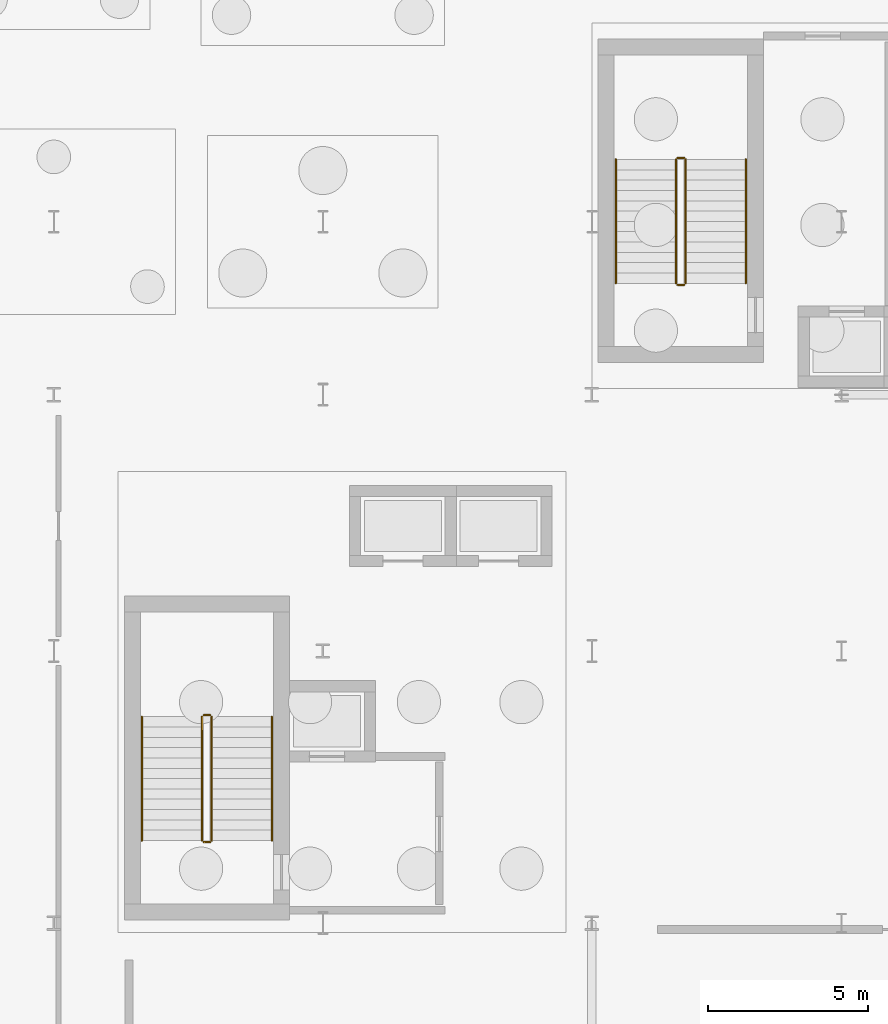
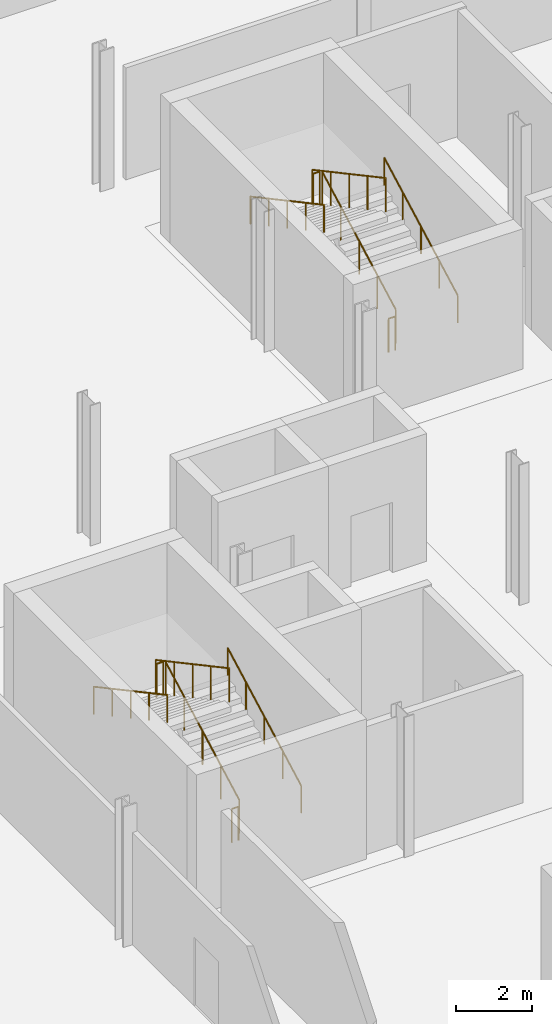
# One storey, part 38 of 45: 12 railings.
"""IFC4 building model written with IfcOpenShell, lengths in metres."""

from ifc_helpers import new_model, si_unit, direction, frame, origin, origin_2d, place, context, subcontext, project, spatial, circle, extrude, material, type_object, element, save


model = new_model("IFC4")

# Units and contexts
model_context = context("Model", 3, precision=1e-05, world=origin(), true_north=direction((0.0, 1.0)))
body_context = subcontext(model_context, "Body", "Model", "MODEL_VIEW")
ifc_project = project(units=[si_unit("LENGTHUNIT", "METRE"), si_unit("AREAUNIT", "SQUARE_METRE"), si_unit("VOLUMEUNIT", "CUBIC_METRE"), si_unit("PLANEANGLEUNIT", "RADIAN"), si_unit("MASSUNIT", "GRAM", prefix="KILO")], contexts=[model_context])

# Site, building, storey
site_placement = place(None, origin())
site = spatial("IfcSite", under=ifc_project, at=site_placement, CompositionType="ELEMENT")
building_placement = place(site_placement, origin())
building = spatial("IfcBuilding", under=site, at=building_placement, Name="Sefraquen Railside Congress Hotel", CompositionType="ELEMENT")
storey_placement = place(building_placement, frame((0.0, 0.0, -4.5)))
storey = spatial("IfcBuildingStorey", under=building, at=storey_placement, Name="B01", CompositionType="ELEMENT", Elevation=-4.5)

# Railings
ifc_material = material(Name="Patinated wrought architectural bronze", Category="metal")
railing_type_1 = type_object("IfcRailingType", Name="TRL-BAL-110", PredefinedType="BALUSTRADE", material=ifc_material)
railing_1_placement = place(storey_placement, frame((13.330078125, 82.080078125, 0.173095703125)))
element("IfcRailing", 1, at=railing_1_placement, inside=storey, type_object=railing_type_1, Name="B01 ST-H01 stair guard 1", PredefinedType="BALUSTRADE", context=body_context, shape_type="SweptSolid", body=[
    extrude(circle(Radius=0.02392578125, at=origin_2d()), frame((0.0, 0.0, 1.076171875), z_axis=(0.0, 0.880824687122, 0.473442573662), x_axis=(-1.0, 0.0, 0.0)), (0.0, 0.0, 1.0), 4.38671875),
    extrude(circle(Radius=0.02099609375, at=origin_2d()), origin(), (0.0, 0.0, 1.0), 1.052001953125),
    extrude(circle(Radius=0.02099609375, at=origin_2d()), frame((0.0, 0.966064453125, 0.519287109375)), (0.0, 0.0, 1.0), 1.052001953125),
    extrude(circle(Radius=0.02099609375, at=origin_2d()), frame((0.0, 1.93212890625, 1.03857421875)), (0.0, 0.0, 1.0), 1.052001953125),
    extrude(circle(Radius=0.02099609375, at=origin_2d()), frame((0.0, 2.89794921875, 1.5576171875)), (0.0, 0.0, 1.0), 1.052001953125),
    extrude(circle(Radius=0.02099609375, at=origin_2d()), frame((0.0, 3.864013671875, 2.076904296875)), (0.0, 0.0, 1.0), 1.052001953125),
])
railing_2_placement = place(storey_placement, frame((13.280029296875, 85.993896484375, 2.25)))
element("IfcRailing", 2, at=railing_2_placement, inside=storey, type_object=railing_type_1, Name="B01 ST-H01 stair guard 2", PredefinedType="BALUSTRADE", context=body_context, shape_type="SweptSolid", body=[
    extrude(circle(Radius=0.02392578125, at=origin_2d()), frame((0.0, 0.0, 1.076171875), z_axis=(-1.0, 0.0, 0.0), x_axis=(0.0, -1.0, 0.0)), (0.0, 0.0, 1.0), 0.199951171875),
    extrude(circle(Radius=0.02099609375, at=origin_2d()), origin(), (0.0, 0.0, 1.0), 1.052001953125),
    extrude(circle(Radius=0.02099609375, at=origin_2d()), frame((-0.199951171875, 0.0, 0.0)), (0.0, 0.0, 1.0), 1.052001953125),
])
railing_3_placement = place(storey_placement, frame((13.030029296875, 85.944091796875, 2.423095703125)))
element("IfcRailing", 3, at=railing_3_placement, inside=storey, type_object=railing_type_1, Name="B01 ST-H01 stair guard 3", PredefinedType="BALUSTRADE", context=body_context, shape_type="SweptSolid", body=[
    extrude(circle(Radius=0.02392578125, at=origin_2d()), frame((0.0, 0.0, 1.076171875), z_axis=(0.0, -0.880824687122, 0.473442573662), x_axis=(1.0, 0.0, 0.0)), (0.0, 0.0, 1.0), 4.38671875),
    extrude(circle(Radius=0.02099609375, at=origin_2d()), origin(), (0.0, 0.0, 1.0), 1.052001953125),
    extrude(circle(Radius=0.02099609375, at=origin_2d()), frame((0.0, -0.966064453125, 0.519287109375)), (0.0, 0.0, 1.0), 1.052001953125),
    extrude(circle(Radius=0.02099609375, at=origin_2d()), frame((0.0, -1.93212890625, 1.03857421875)), (0.0, 0.0, 1.0), 1.052001953125),
    extrude(circle(Radius=0.02099609375, at=origin_2d()), frame((0.0, -2.89794921875, 1.5576171875)), (0.0, 0.0, 1.0), 1.052001953125),
    extrude(circle(Radius=0.02099609375, at=origin_2d()), frame((0.0, -3.864013671875, 2.076904296875)), (0.0, 0.0, 1.0), 1.052001953125),
])
railing_4_placement = place(storey_placement, frame((13.280029296875, 82.030029296875, 0.0)))
element("IfcRailing", 4, at=railing_4_placement, inside=storey, type_object=railing_type_1, Name="B01 ST-H01 stair guard 4", PredefinedType="BALUSTRADE", context=body_context, shape_type="SweptSolid", body=[
    extrude(circle(Radius=0.02392578125, at=origin_2d()), frame((0.0, 0.0, 1.076171875), z_axis=(-1.0, 0.0, 0.0), x_axis=(0.0, -1.0, 0.0)), (0.0, 0.0, 1.0), 0.199951171875),
    extrude(circle(Radius=0.02099609375, at=origin_2d()), origin(), (0.0, 0.0, 1.0), 1.052001953125),
    extrude(circle(Radius=0.02099609375, at=origin_2d()), frame((-0.199951171875, 0.0, 0.0)), (0.0, 0.0, 1.0), 1.052001953125),
])
railing_5_placement = place(storey_placement, frame((28.1298828125, 99.47998046875, 0.173095703125)))
element("IfcRailing", 5, at=railing_5_placement, inside=storey, type_object=railing_type_1, Name="B01 ST-H02 stair guard 1", PredefinedType="BALUSTRADE", context=body_context, shape_type="SweptSolid", body=[
    extrude(circle(Radius=0.02392578125, at=origin_2d()), frame((0.0, 0.0, 1.076171875), z_axis=(0.0, 0.880824687122, 0.473442573662), x_axis=(-1.0, 0.0, 0.0)), (0.0, 0.0, 1.0), 4.38671875),
    extrude(circle(Radius=0.02099609375, at=origin_2d()), origin(), (0.0, 0.0, 1.0), 1.052001953125),
    extrude(circle(Radius=0.02099609375, at=origin_2d()), frame((0.0, 0.966064453125, 0.519287109375)), (0.0, 0.0, 1.0), 1.052001953125),
    extrude(circle(Radius=0.02099609375, at=origin_2d()), frame((0.0, 1.93212890625, 1.03857421875)), (0.0, 0.0, 1.0), 1.052001953125),
    extrude(circle(Radius=0.02099609375, at=origin_2d()), frame((0.0, 2.89794921875, 1.5576171875)), (0.0, 0.0, 1.0), 1.052001953125),
    extrude(circle(Radius=0.02099609375, at=origin_2d()), frame((0.0, 3.864013671875, 2.076904296875)), (0.0, 0.0, 1.0), 1.052001953125),
])
railing_6_placement = place(storey_placement, frame((28.080078125, 103.39404296875, 2.25)))
element("IfcRailing", 6, at=railing_6_placement, inside=storey, type_object=railing_type_1, Name="B01 ST-H02 stair guard 2", PredefinedType="BALUSTRADE", context=body_context, shape_type="SweptSolid", body=[
    extrude(circle(Radius=0.02392578125, at=origin_2d()), frame((0.0, 0.0, 1.076171875), z_axis=(-1.0, 0.0, 0.0), x_axis=(0.0, -1.0, 0.0)), (0.0, 0.0, 1.0), 0.2001953125),
    extrude(circle(Radius=0.02099609375, at=origin_2d()), origin(), (0.0, 0.0, 1.0), 1.052001953125),
    extrude(circle(Radius=0.02099609375, at=origin_2d()), frame((-0.2001953125, 0.0, 0.0)), (0.0, 0.0, 1.0), 1.052001953125),
])
railing_7_placement = place(storey_placement, frame((27.830078125, 103.343994140625, 2.423095703125)))
element("IfcRailing", 7, at=railing_7_placement, inside=storey, type_object=railing_type_1, Name="B01 ST-H02 stair guard 3", PredefinedType="BALUSTRADE", context=body_context, shape_type="SweptSolid", body=[
    extrude(circle(Radius=0.02392578125, at=origin_2d()), frame((0.0, 0.0, 1.076171875), z_axis=(0.0, -0.880824687122, 0.473442573662), x_axis=(1.0, 0.0, 0.0)), (0.0, 0.0, 1.0), 4.38671875),
    extrude(circle(Radius=0.02099609375, at=origin_2d()), origin(), (0.0, 0.0, 1.0), 1.052001953125),
    extrude(circle(Radius=0.02099609375, at=origin_2d()), frame((0.0, -0.966064453125, 0.519287109375)), (0.0, 0.0, 1.0), 1.052001953125),
    extrude(circle(Radius=0.02099609375, at=origin_2d()), frame((0.0, -1.93212890625, 1.03857421875)), (0.0, 0.0, 1.0), 1.052001953125),
    extrude(circle(Radius=0.02099609375, at=origin_2d()), frame((0.0, -2.89794921875, 1.5576171875)), (0.0, 0.0, 1.0), 1.052001953125),
    extrude(circle(Radius=0.02099609375, at=origin_2d()), frame((0.0, -3.864013671875, 2.076904296875)), (0.0, 0.0, 1.0), 1.052001953125),
])
railing_8_placement = place(storey_placement, frame((28.080078125, 99.429931640625, 0.0)))
element("IfcRailing", 8, at=railing_8_placement, inside=storey, type_object=railing_type_1, Name="B01 ST-H02 stair guard 4", PredefinedType="BALUSTRADE", context=body_context, shape_type="SweptSolid", body=[
    extrude(circle(Radius=0.02392578125, at=origin_2d()), frame((0.0, 0.0, 1.076171875), z_axis=(-1.0, 0.0, 0.0), x_axis=(0.0, -1.0, 0.0)), (0.0, 0.0, 1.0), 0.2001953125),
    extrude(circle(Radius=0.02099609375, at=origin_2d()), origin(), (0.0, 0.0, 1.0), 1.052001953125),
    extrude(circle(Radius=0.02099609375, at=origin_2d()), frame((-0.2001953125, 0.0, 0.0)), (0.0, 0.0, 1.0), 1.052001953125),
])
railing_type_2 = type_object("IfcRailingType", Name="TRL-HR-090", PredefinedType="HANDRAIL", material=ifc_material)
railing_9_placement = place(storey_placement, frame((15.2099609375, 82.080078125, 0.173095703125)))
element("IfcRailing", 9, at=railing_9_placement, inside=storey, type_object=railing_type_2, Name="B01 ST-H01 stair handrail 1", PredefinedType="HANDRAIL", context=body_context, shape_type="SweptSolid", body=[
    extrude(circle(Radius=0.02392578125, at=origin_2d()), frame((0.0, 0.0, 0.8759765625), z_axis=(0.0, 0.880824687122, 0.473442573662), x_axis=(-1.0, 0.0, 0.0)), (0.0, 0.0, 1.0), 4.38671875),
    extrude(circle(Radius=0.02099609375, at=origin_2d()), origin(), (0.0, 0.0, 1.0), 0.851806640625),
    extrude(circle(Radius=0.02099609375, at=origin_2d()), frame((0.0, 0.966064453125, 0.519287109375)), (0.0, 0.0, 1.0), 0.851806640625),
    extrude(circle(Radius=0.02099609375, at=origin_2d()), frame((0.0, 1.93212890625, 1.03857421875)), (0.0, 0.0, 1.0), 0.851806640625),
    extrude(circle(Radius=0.02099609375, at=origin_2d()), frame((0.0, 2.89794921875, 1.5576171875)), (0.0, 0.0, 1.0), 0.851806640625),
    extrude(circle(Radius=0.02099609375, at=origin_2d()), frame((0.0, 3.864013671875, 2.076904296875)), (0.0, 0.0, 1.0), 0.851806640625),
])
railing_10_placement = place(storey_placement, frame((11.14990234375, 85.944091796875, 2.423095703125)))
element("IfcRailing", 10, at=railing_10_placement, inside=storey, type_object=railing_type_2, Name="B01 ST-H01 stair handrail 2", PredefinedType="HANDRAIL", context=body_context, shape_type="SweptSolid", body=[
    extrude(circle(Radius=0.02392578125, at=origin_2d()), frame((0.0, 0.0, 0.8759765625), z_axis=(0.0, -0.880824687122, 0.473442573662), x_axis=(1.0, 0.0, 0.0)), (0.0, 0.0, 1.0), 4.38671875),
    extrude(circle(Radius=0.02099609375, at=origin_2d()), origin(), (0.0, 0.0, 1.0), 0.851806640625),
    extrude(circle(Radius=0.02099609375, at=origin_2d()), frame((0.0, -0.966064453125, 0.519287109375)), (0.0, 0.0, 1.0), 0.851806640625),
    extrude(circle(Radius=0.02099609375, at=origin_2d()), frame((0.0, -1.93212890625, 1.03857421875)), (0.0, 0.0, 1.0), 0.851806640625),
    extrude(circle(Radius=0.02099609375, at=origin_2d()), frame((0.0, -2.89794921875, 1.5576171875)), (0.0, 0.0, 1.0), 0.851806640625),
    extrude(circle(Radius=0.02099609375, at=origin_2d()), frame((0.0, -3.864013671875, 2.076904296875)), (0.0, 0.0, 1.0), 0.851806640625),
])
railing_11_placement = place(storey_placement, frame((30.010009765625, 99.47998046875, 0.173095703125)))
element("IfcRailing", 11, at=railing_11_placement, inside=storey, type_object=railing_type_2, Name="B01 ST-H02 stair handrail 1", PredefinedType="HANDRAIL", context=body_context, shape_type="SweptSolid", body=[
    extrude(circle(Radius=0.02392578125, at=origin_2d()), frame((0.0, 0.0, 0.8759765625), z_axis=(0.0, 0.880824687122, 0.473442573662), x_axis=(-1.0, 0.0, 0.0)), (0.0, 0.0, 1.0), 4.38671875),
    extrude(circle(Radius=0.02099609375, at=origin_2d()), origin(), (0.0, 0.0, 1.0), 0.851806640625),
    extrude(circle(Radius=0.02099609375, at=origin_2d()), frame((0.0, 0.966064453125, 0.519287109375)), (0.0, 0.0, 1.0), 0.851806640625),
    extrude(circle(Radius=0.02099609375, at=origin_2d()), frame((0.0, 1.93212890625, 1.03857421875)), (0.0, 0.0, 1.0), 0.851806640625),
    extrude(circle(Radius=0.02099609375, at=origin_2d()), frame((0.0, 2.89794921875, 1.5576171875)), (0.0, 0.0, 1.0), 0.851806640625),
    extrude(circle(Radius=0.02099609375, at=origin_2d()), frame((0.0, 3.864013671875, 2.076904296875)), (0.0, 0.0, 1.0), 0.851806640625),
])
railing_12_placement = place(storey_placement, frame((25.949951171875, 103.343994140625, 2.423095703125)))
element("IfcRailing", 12, at=railing_12_placement, inside=storey, type_object=railing_type_2, Name="B01 ST-H02 stair handrail 2", PredefinedType="HANDRAIL", context=body_context, shape_type="SweptSolid", body=[
    extrude(circle(Radius=0.02392578125, at=origin_2d()), frame((0.0, 0.0, 0.8759765625), z_axis=(0.0, -0.880824687122, 0.473442573662), x_axis=(1.0, 0.0, 0.0)), (0.0, 0.0, 1.0), 4.38671875),
    extrude(circle(Radius=0.02099609375, at=origin_2d()), origin(), (0.0, 0.0, 1.0), 0.851806640625),
    extrude(circle(Radius=0.02099609375, at=origin_2d()), frame((0.0, -0.966064453125, 0.519287109375)), (0.0, 0.0, 1.0), 0.851806640625),
    extrude(circle(Radius=0.02099609375, at=origin_2d()), frame((0.0, -1.93212890625, 1.03857421875)), (0.0, 0.0, 1.0), 0.851806640625),
    extrude(circle(Radius=0.02099609375, at=origin_2d()), frame((0.0, -2.89794921875, 1.5576171875)), (0.0, 0.0, 1.0), 0.851806640625),
    extrude(circle(Radius=0.02099609375, at=origin_2d()), frame((0.0, -3.864013671875, 2.076904296875)), (0.0, 0.0, 1.0), 0.851806640625),
])

save(model, "model.ifc")
